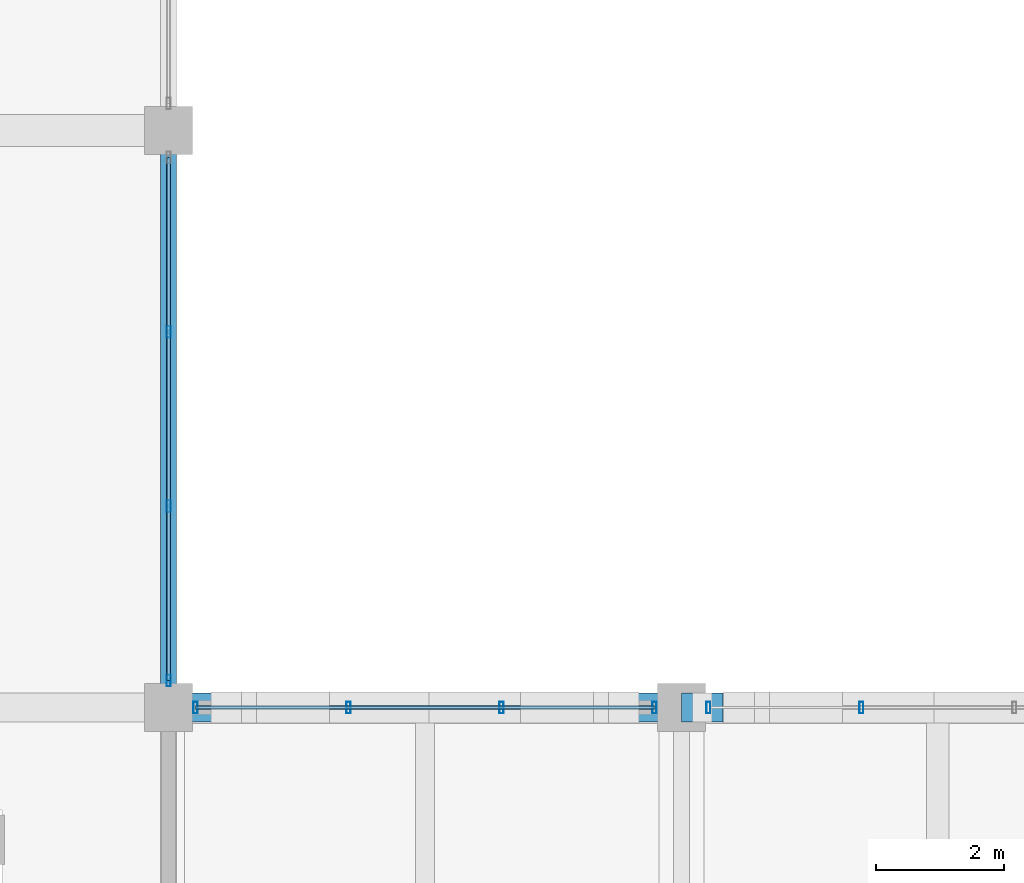
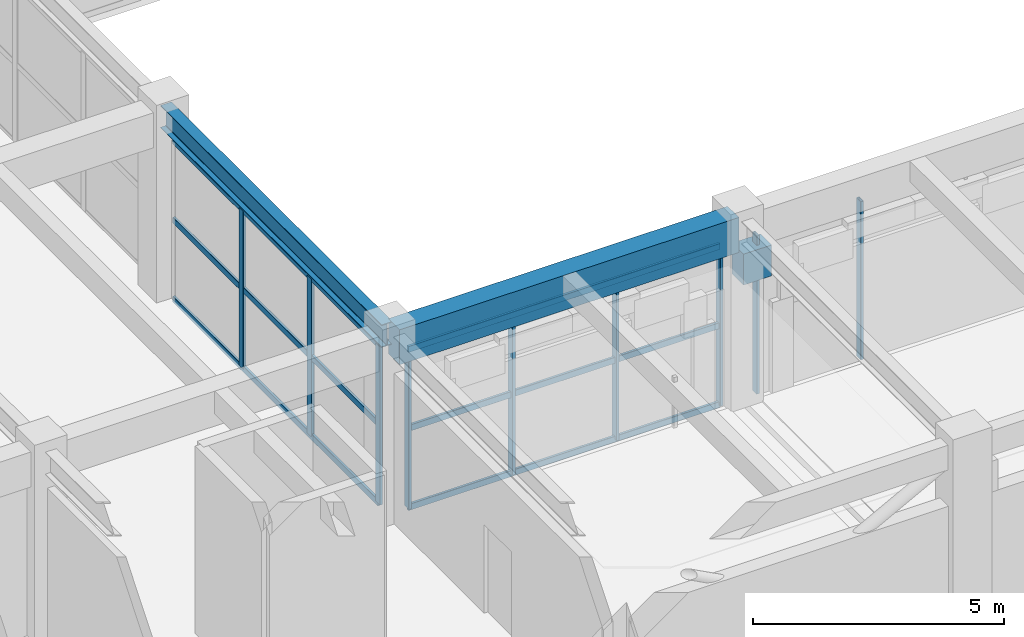
# One storey, part 18 of 144: 15 members, 3 beams, 3 elements without a shape of their own.
"""IFC4 building model written with IfcOpenShell, lengths in metres."""

from ifc_helpers import new_model, si_unit, direction, frame, origin, origin_2d, place, context, subcontext, project, spatial, rectangle, hollow_rectangle, i_section, extrude, material, material_profile, profile_set, type_object, element, aggregate, save


model = new_model("IFC4")

# Units and contexts
model_context = context("Model", 3, precision=1e-05, world=origin(), true_north=direction((0.0, 1.0)))
body_context = subcontext(model_context, "Body", "Model", "MODEL_VIEW")
ifc_project = project(units=[si_unit("LENGTHUNIT", "METRE"), si_unit("AREAUNIT", "SQUARE_METRE"), si_unit("VOLUMEUNIT", "CUBIC_METRE"), si_unit("PLANEANGLEUNIT", "RADIAN"), si_unit("MASSUNIT", "GRAM", prefix="KILO")], contexts=[model_context])

# Site, building, storey
site_placement = place(None, origin())
site = spatial("IfcSite", under=ifc_project, at=site_placement, CompositionType="ELEMENT")
building_placement = place(site_placement, origin())
building = spatial("IfcBuilding", under=site, at=building_placement, Name="Varnabhumi Central Station", CompositionType="ELEMENT")
storey_placement = place(building_placement, frame((0.0, 0.0, 4.800048828125)))
storey = spatial("IfcBuildingStorey", under=building, at=storey_placement, Name="L01", CompositionType="ELEMENT", Elevation=4.800048828125)

# Beams
ifc_material_1 = material(Name="Concrete M40", Category="concrete")
ifc_material_profile_1 = material_profile(ifc_material_1, rectangle(XDim=0.449951171875, YDim=0.75, at=origin_2d()), Name="Concrete M40", Category="concrete")
ifc_profile_set_1 = profile_set([ifc_material_profile_1], Name="Concrete M40")
beam_type_1 = type_object("IfcBeamType", Name="BM-RC-450x750", PredefinedType="BEAM", material=ifc_profile_set_1)
beam_1_placement = place(storey_placement, frame((120.0, 9.0, 3.244873046875), z_axis=(1.0, 0.0, 0.0), x_axis=(0.0, 1.0, 0.0)))
element("IfcBeam", 1, at=beam_1_placement, inside=storey, type_object=beam_type_1, Name="Movement Joint 650mm Corbel Seat L01-B-16", PredefinedType="BEAM", context=body_context, shape_type="SweptSolid", body=[
    extrude(rectangle(XDim=0.449951171875, YDim=0.75, at=origin_2d()), origin(), (0.0, 0.0, 1.0), 0.64990234375),
])
ifc_material_profile_2 = material_profile(ifc_material_1, rectangle(XDim=0.449951171875, YDim=0.85009765625, at=origin_2d()), Name="Concrete M40", Category="concrete")
ifc_profile_set_2 = profile_set([ifc_material_profile_2], Name="Concrete M40")
beam_type_2 = type_object("IfcBeamType", Name="BM-RC-450x850", PredefinedType="BEAM", material=ifc_profile_set_2)
beam_2_placement = place(storey_placement, frame((112.10009765625, 9.0, 4.125), z_axis=(1.0, 0.0, 0.0), x_axis=(0.0, 1.0, 0.0)))
element("IfcBeam", 2, at=beam_2_placement, inside=storey, type_object=beam_type_2, Name="Beam L01-B:15-16", PredefinedType="BEAM", context=body_context, shape_type="SweptSolid", body=[
    extrude(rectangle(XDim=0.449951171875, YDim=0.85009765625, at=origin_2d()), origin(), (0.0, 0.0, 1.0), 7.7998046875),
])
ifc_material_2 = material(Name="Structural steel E350", Category="steel")
ifc_material_profile_3 = material_profile(ifc_material_2, i_section(OverallWidth=0.25, OverallDepth=0.550048828125, WebThickness=0.010498046875, FlangeThickness=0.017578125, FilletRadius=0.01611328125, at=origin_2d()), Name="Structural steel E350", Category="steel")
ifc_profile_set_3 = profile_set([ifc_material_profile_3], Name="Structural steel E350")
beam_type_3 = type_object("IfcBeamType", Name="BM-STL-ISWB550", PredefinedType="BEAM", material=ifc_profile_set_3)
beam_3_placement = place(storey_placement, frame((112.0, 9.10009765625, 4.27490234375), z_axis=(0.0, 1.0, 0.0), x_axis=(-1.0, 0.0, 0.0)))
element("IfcBeam", 3, at=beam_3_placement, inside=storey, type_object=beam_type_3, Name="Beam L01-15:B-C", PredefinedType="BEAM", context=body_context, shape_type="SweptSolid", body=[
    extrude(i_section(OverallWidth=0.25, OverallDepth=0.550048828125, WebThickness=0.010498046875, FlangeThickness=0.017578125, FilletRadius=0.01611328125, at=origin_2d()), origin(), (0.0, 0.0, 1.0), 8.7998046875),
])

# Curtain wall, members
ifc_material_3 = material(Name="Anodised aluminium 6063-T6", Category="aluminium")
curtain_wall_type = type_object("IfcCurtainWallType", Name="CW-PATIO-LOGGIA-L1", PredefinedType="NOTDEFINED", material=ifc_material_3)
curtain_wall_1_placement = place(storey_placement, origin())
curtain_wall_1 = element("IfcCurtainWall", 4, at=curtain_wall_1_placement, inside=storey, type_object=curtain_wall_type, Name="Curtain Wall CW-SP1E1", PredefinedType="NOTDEFINED")
ifc_material_profile_4 = material_profile(ifc_material_3, hollow_rectangle(XDim=0.06494140625, YDim=0.179931640625, WallThickness=0.00390625, InnerFilletRadius=0.001953125, OuterFilletRadius=0.006103515625, at=origin_2d()), Name="Anodised aluminium 6063-T6", Category="aluminium")
ifc_profile_set_4 = profile_set([ifc_material_profile_4], Name="Anodised aluminium 6063-T6")
member_type_1 = type_object("IfcMemberType", Name="CW-MUL-180", PredefinedType="MULLION", material=ifc_profile_set_4)
member_1_placement = place(storey_placement, frame((112.0, 9.419921875, 0.0), z_axis=(0.0, 0.0, 1.0), x_axis=(1.0, 0.0, 0.0)))
member_1 = element("IfcMember", 5, at=member_1_placement, type_object=member_type_1, Name="Curtain Wall Mullion CW-SP1E1-M1", PredefinedType="MULLION", context=body_context, shape_type="SweptSolid", body=[
    extrude(hollow_rectangle(XDim=0.06494140625, YDim=0.179931640625, WallThickness=0.00390625, InnerFilletRadius=0.001953125, OuterFilletRadius=0.006103515625, at=origin_2d()), origin(), (0.0, 0.0, 1.0), 3.83984375),
])
member_2_placement = place(storey_placement, frame((112.0, 12.139892578125, 0.0), z_axis=(0.0, 0.0, 1.0), x_axis=(1.0, 0.0, 0.0)))
member_2 = element("IfcMember", 6, at=member_2_placement, type_object=member_type_1, Name="Curtain Wall Mullion CW-SP1E1-M2", PredefinedType="MULLION", context=body_context, shape_type="SweptSolid", body=[
    extrude(hollow_rectangle(XDim=0.06494140625, YDim=0.179931640625, WallThickness=0.00390625, InnerFilletRadius=0.001953125, OuterFilletRadius=0.006103515625, at=origin_2d()), origin(), (0.0, 0.0, 1.0), 3.83984375),
])
member_3_placement = place(storey_placement, frame((112.0, 14.860107421875, 0.0), z_axis=(0.0, 0.0, 1.0), x_axis=(1.0, 0.0, 0.0)))
member_3 = element("IfcMember", 7, at=member_3_placement, type_object=member_type_1, Name="Curtain Wall Mullion CW-SP1E1-M3", PredefinedType="MULLION", context=body_context, shape_type="SweptSolid", body=[
    extrude(hollow_rectangle(XDim=0.06494140625, YDim=0.179931640625, WallThickness=0.00390625, InnerFilletRadius=0.001953125, OuterFilletRadius=0.006103515625, at=origin_2d()), origin(), (0.0, 0.0, 1.0), 3.83984375),
])

curtain_wall_2_placement = place(storey_placement, origin())
curtain_wall_2 = element("IfcCurtainWall", 8, at=curtain_wall_2_placement, inside=storey, type_object=curtain_wall_type, Name="Curtain Wall CW-SP1S1", PredefinedType="NOTDEFINED")
member_4_placement = place(storey_placement, frame((112.419921875, 9.0, 0.0), z_axis=(0.0, 0.0, 1.0), x_axis=(1.0, 0.0, 0.0)))
member_4 = element("IfcMember", 9, at=member_4_placement, type_object=member_type_1, Name="Curtain Wall Mullion CW-SP1S1-M1", PredefinedType="MULLION", context=body_context, shape_type="SweptSolid", body=[
    extrude(hollow_rectangle(XDim=0.06494140625, YDim=0.179931640625, WallThickness=0.00390625, InnerFilletRadius=0.001953125, OuterFilletRadius=0.006103515625, at=origin_2d()), origin(), (0.0, 0.0, 1.0), 3.83984375),
])
member_5_placement = place(storey_placement, frame((114.806640625, 9.0, 0.0), z_axis=(0.0, 0.0, 1.0), x_axis=(1.0, 0.0, 0.0)))
member_5 = element("IfcMember", 10, at=member_5_placement, type_object=member_type_1, Name="Curtain Wall Mullion CW-SP1S1-M2", PredefinedType="MULLION", context=body_context, shape_type="SweptSolid", body=[
    extrude(hollow_rectangle(XDim=0.06494140625, YDim=0.179931640625, WallThickness=0.00390625, InnerFilletRadius=0.001953125, OuterFilletRadius=0.006103515625, at=origin_2d()), origin(), (0.0, 0.0, 1.0), 3.83984375),
])
member_6_placement = place(storey_placement, frame((117.193359375, 9.0, 0.0), z_axis=(0.0, 0.0, 1.0), x_axis=(1.0, 0.0, 0.0)))
member_6 = element("IfcMember", 11, at=member_6_placement, type_object=member_type_1, Name="Curtain Wall Mullion CW-SP1S1-M3", PredefinedType="MULLION", context=body_context, shape_type="SweptSolid", body=[
    extrude(hollow_rectangle(XDim=0.06494140625, YDim=0.179931640625, WallThickness=0.00390625, InnerFilletRadius=0.001953125, OuterFilletRadius=0.006103515625, at=origin_2d()), origin(), (0.0, 0.0, 1.0), 3.83984375),
])
member_7_placement = place(storey_placement, frame((119.580078125, 9.0, 0.0), z_axis=(0.0, 0.0, 1.0), x_axis=(1.0, 0.0, 0.0)))
member_7 = element("IfcMember", 12, at=member_7_placement, type_object=member_type_1, Name="Curtain Wall Mullion CW-SP1S1-M4", PredefinedType="MULLION", context=body_context, shape_type="SweptSolid", body=[
    extrude(hollow_rectangle(XDim=0.06494140625, YDim=0.179931640625, WallThickness=0.00390625, InnerFilletRadius=0.001953125, OuterFilletRadius=0.006103515625, at=origin_2d()), origin(), (0.0, 0.0, 1.0), 3.83984375),
])

curtain_wall_3_placement = place(storey_placement, origin())
curtain_wall_3 = element("IfcCurtainWall", 13, at=curtain_wall_3_placement, inside=storey, type_object=curtain_wall_type, Name="Curtain Wall CW-SP1S2", PredefinedType="NOTDEFINED")
member_8_placement = place(storey_placement, frame((120.419921875, 9.0, 0.0), z_axis=(0.0, 0.0, 1.0), x_axis=(1.0, 0.0, 0.0)))
member_8 = element("IfcMember", 14, at=member_8_placement, type_object=member_type_1, Name="Curtain Wall Mullion CW-SP1S2-M1", PredefinedType="MULLION", context=body_context, shape_type="SweptSolid", body=[
    extrude(hollow_rectangle(XDim=0.06494140625, YDim=0.179931640625, WallThickness=0.00390625, InnerFilletRadius=0.001953125, OuterFilletRadius=0.006103515625, at=origin_2d()), origin(), (0.0, 0.0, 1.0), 3.83984375),
])
member_9_placement = place(storey_placement, frame((122.806640625, 9.0, 0.0), z_axis=(0.0, 0.0, 1.0), x_axis=(1.0, 0.0, 0.0)))
member_9 = element("IfcMember", 15, at=member_9_placement, type_object=member_type_1, Name="Curtain Wall Mullion CW-SP1S2-M2", PredefinedType="MULLION", context=body_context, shape_type="SweptSolid", body=[
    extrude(hollow_rectangle(XDim=0.06494140625, YDim=0.179931640625, WallThickness=0.00390625, InnerFilletRadius=0.001953125, OuterFilletRadius=0.006103515625, at=origin_2d()), origin(), (0.0, 0.0, 1.0), 3.83984375),
])
aggregate(curtain_wall_3, [member_8, member_9])

# Member
ifc_material_profile_5 = material_profile(ifc_material_3, hollow_rectangle(XDim=0.06005859375, YDim=0.14990234375, WallThickness=0.00390625, InnerFilletRadius=0.001953125, OuterFilletRadius=0.006103515625, at=origin_2d()), Name="Anodised aluminium 6063-T6", Category="aluminium")
ifc_profile_set_5 = profile_set([ifc_material_profile_5], Name="Anodised aluminium 6063-T6")
member_type_2 = type_object("IfcMemberType", Name="CW-TR-150", PredefinedType="USERDEFINED", material=ifc_profile_set_5)
member_10_placement = place(storey_placement, frame((112.0, 9.419921875, 0.0), z_axis=(0.0, 1.0, 0.0), x_axis=(-1.0, 0.0, 0.0)))
member_10 = element("IfcMember", 16, at=member_10_placement, type_object=member_type_2, Name="Curtain Wall Transom CW-SP1E1-T1", ObjectType="TRANSOM", PredefinedType="USERDEFINED", context=body_context, shape_type="SweptSolid", body=[
    extrude(hollow_rectangle(XDim=0.06005859375, YDim=0.14990234375, WallThickness=0.00390625, InnerFilletRadius=0.001953125, OuterFilletRadius=0.006103515625, at=origin_2d()), origin(), (0.0, 0.0, 1.0), 8.16015625),
])

member_11_placement = place(storey_placement, frame((112.0, 9.419921875, 1.919921875), z_axis=(0.0, 1.0, 0.0), x_axis=(-1.0, 0.0, 0.0)))
member_11 = element("IfcMember", 17, at=member_11_placement, type_object=member_type_2, Name="Curtain Wall Transom CW-SP1E1-T2", ObjectType="TRANSOM", PredefinedType="USERDEFINED", context=body_context, shape_type="SweptSolid", body=[
    extrude(hollow_rectangle(XDim=0.06005859375, YDim=0.14990234375, WallThickness=0.00390625, InnerFilletRadius=0.001953125, OuterFilletRadius=0.006103515625, at=origin_2d()), origin(), (0.0, 0.0, 1.0), 8.16015625),
])

member_12_placement = place(storey_placement, frame((112.0, 9.419921875, 3.83984375), z_axis=(0.0, 1.0, 0.0), x_axis=(-1.0, 0.0, 0.0)))
member_12 = element("IfcMember", 18, at=member_12_placement, type_object=member_type_2, Name="Curtain Wall Transom CW-SP1E1-T3", ObjectType="TRANSOM", PredefinedType="USERDEFINED", context=body_context, shape_type="SweptSolid", body=[
    extrude(hollow_rectangle(XDim=0.06005859375, YDim=0.14990234375, WallThickness=0.00390625, InnerFilletRadius=0.001953125, OuterFilletRadius=0.006103515625, at=origin_2d()), origin(), (0.0, 0.0, 1.0), 8.16015625),
])

aggregate(curtain_wall_1, [member_1, member_2, member_3, member_10, member_11, member_12])

member_13_placement = place(storey_placement, frame((112.419921875, 9.0, 0.0), z_axis=(1.0, 0.0, 0.0), x_axis=(0.0, 1.0, 0.0)))
member_13 = element("IfcMember", 19, at=member_13_placement, type_object=member_type_2, Name="Curtain Wall Transom CW-SP1S1-T1", ObjectType="TRANSOM", PredefinedType="USERDEFINED", context=body_context, shape_type="SweptSolid", body=[
    extrude(hollow_rectangle(XDim=0.06005859375, YDim=0.14990234375, WallThickness=0.00390625, InnerFilletRadius=0.001953125, OuterFilletRadius=0.006103515625, at=origin_2d()), origin(), (0.0, 0.0, 1.0), 7.16015625),
])

member_14_placement = place(storey_placement, frame((112.419921875, 9.0, 1.919921875), z_axis=(1.0, 0.0, 0.0), x_axis=(0.0, 1.0, 0.0)))
member_14 = element("IfcMember", 20, at=member_14_placement, type_object=member_type_2, Name="Curtain Wall Transom CW-SP1S1-T2", ObjectType="TRANSOM", PredefinedType="USERDEFINED", context=body_context, shape_type="SweptSolid", body=[
    extrude(hollow_rectangle(XDim=0.06005859375, YDim=0.14990234375, WallThickness=0.00390625, InnerFilletRadius=0.001953125, OuterFilletRadius=0.006103515625, at=origin_2d()), origin(), (0.0, 0.0, 1.0), 7.16015625),
])

member_15_placement = place(storey_placement, frame((112.419921875, 9.0, 3.83984375), z_axis=(1.0, 0.0, 0.0), x_axis=(0.0, 1.0, 0.0)))
member_15 = element("IfcMember", 21, at=member_15_placement, type_object=member_type_2, Name="Curtain Wall Transom CW-SP1S1-T3", ObjectType="TRANSOM", PredefinedType="USERDEFINED", context=body_context, shape_type="SweptSolid", body=[
    extrude(hollow_rectangle(XDim=0.06005859375, YDim=0.14990234375, WallThickness=0.00390625, InnerFilletRadius=0.001953125, OuterFilletRadius=0.006103515625, at=origin_2d()), origin(), (0.0, 0.0, 1.0), 7.16015625),
])

aggregate(curtain_wall_2, [member_4, member_5, member_6, member_7, member_13, member_14, member_15])

save(model, "model.ifc")
